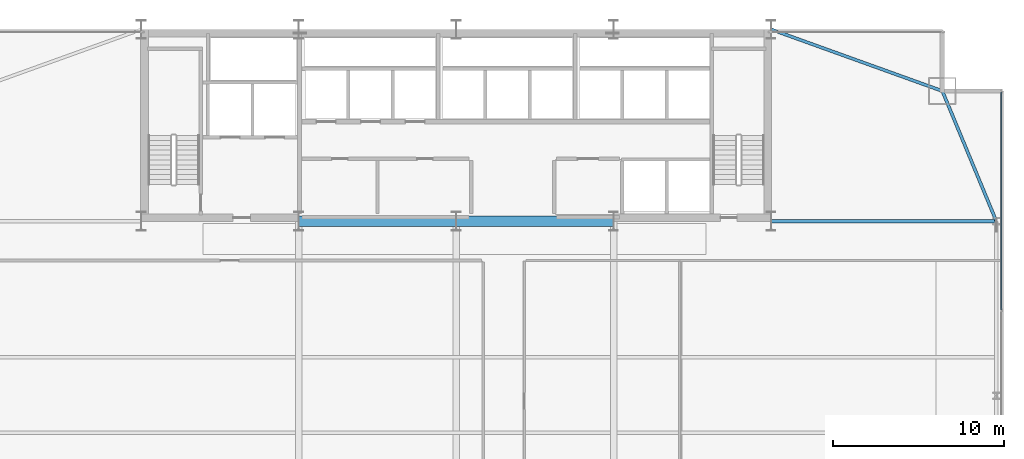
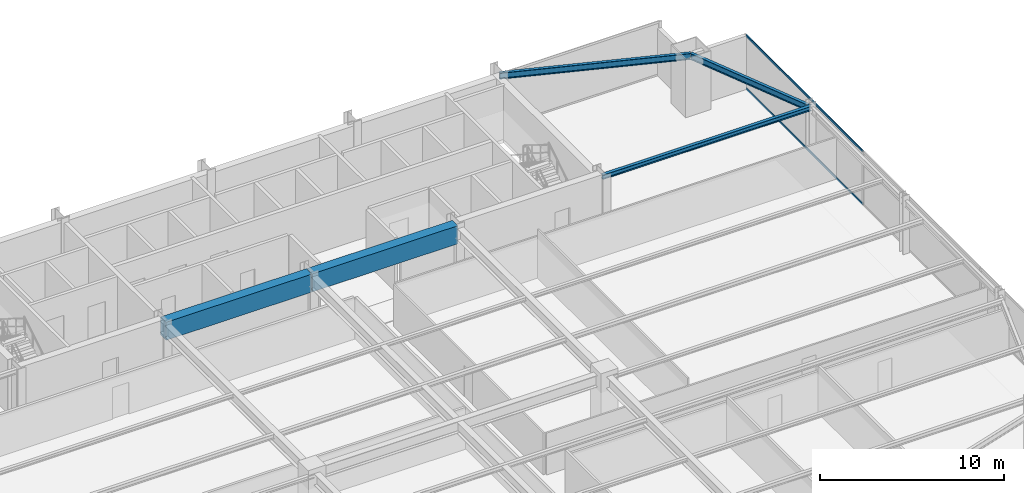
# One storey, part 23 of 32: 5 beams, 2 members, 1 element without a shape of its own.
"""IFC4 building model written with IfcOpenShell, lengths in metres."""

from ifc_helpers import new_model, si_unit, direction, frame, origin, origin_2d, place, context, subcontext, project, spatial, rectangle, hollow_rectangle, i_section, extrude, source, transform, mapped, material, layer, layer_set, material_profile, profile_set, type_object, type_shapes, element, aggregate, save


model = new_model("IFC4")

# Units and contexts
model_context = context("Model", 3, precision=1e-05, world=origin(), true_north=direction((0.0, 1.0)))
body_context = subcontext(model_context, "Body", "Model", "MODEL_VIEW")
ifc_project = project(units=[si_unit("LENGTHUNIT", "METRE"), si_unit("AREAUNIT", "SQUARE_METRE"), si_unit("VOLUMEUNIT", "CUBIC_METRE"), si_unit("PLANEANGLEUNIT", "RADIAN"), si_unit("MASSUNIT", "GRAM", prefix="KILO")], contexts=[model_context])

# Site, building, storey
site_placement = place(None, origin())
site = spatial("IfcSite", under=ifc_project, at=site_placement, CompositionType="ELEMENT")
building_placement = place(site_placement, origin())
building = spatial("IfcBuilding", under=site, at=building_placement, Name="Varnel Quay Broadcast Tower", CompositionType="ELEMENT")
storey_placement = place(building_placement, frame((0.0, 0.0, 78.300048828125)))
storey = spatial("IfcBuildingStorey", under=building, at=storey_placement, Name="L18", CompositionType="ELEMENT", Elevation=78.300048828125)

# Beams
ifc_material_1 = material(Name="Structural Steel CSA G40.21 350W", Category="steel")
ifc_material_profile_1 = material_profile(ifc_material_1, i_section(OverallWidth=0.180908203125, OverallDepth=0.4169921875, WebThickness=0.010986328125, FlangeThickness=0.018310546875, FilletRadius=0.011962890625, at=origin_2d()), Name="W410X85")
ifc_profile_set_1 = profile_set([ifc_material_profile_1], Name="Structural Steel CSA G40.21 350W")
beam_type_1 = type_object("IfcBeamType", Name="Beam_W410X85", PredefinedType="SPANDREL", material=ifc_profile_set_1)
shared_shape_1 = source(origin(), body_context, "Body", "SweptSolid", [
    extrude(i_section(OverallWidth=0.180908203125, OverallDepth=0.4169921875, WebThickness=0.010986328125, FlangeThickness=0.018310546875, FilletRadius=0.011962890625, at=origin_2d()), origin(), (0.0, 0.0, 1.0), 8.186767578125),
])
beam_1_placement = place(storey_placement, frame((65.542236328125, 35.618408203125, 3.371337890625), z_axis=(-0.382874132092, 0.923800519038, 0.0), x_axis=(-0.923800519038, -0.382874132092, 0.0)))
element("IfcBeam", 1, at=beam_1_placement, inside=storey, type_object=beam_type_1, Name="L18 East Spandrel TC-E3-MC-NE", PredefinedType="SPANDREL", context=body_context, shape_type="MappedRepresentation", body=[
    mapped(shared_shape_1, transform((0.0, 0.0, 0.0), x_axis=(1.0, 0.0, 0.0), y_axis=(0.0, 1.0, 0.0), z_axis=(0.0, 0.0, 1.0), scale=1.0)),
])
shared_shape_2 = source(origin(), body_context, "Body", "SweptSolid", [
    extrude(i_section(OverallWidth=0.180908203125, OverallDepth=0.4169921875, WebThickness=0.010986328125, FlangeThickness=0.018310546875, FilletRadius=0.011962890625, at=origin_2d()), origin(), (0.0, 0.0, 1.0), 10.58837890625),
])
type_shapes(beam_type_1, [shared_shape_1, shared_shape_2])
beam_2_placement = place(storey_placement, frame((52.418701171875, 46.793212890625, 3.371337890625), z_axis=(0.940888587605, -0.338716202321, 0.0), x_axis=(0.338716202321, 0.940888587605, 0.0)))
element("IfcBeam", 2, at=beam_2_placement, inside=storey, type_object=beam_type_1, Name="L18 NE Tie Spandrel", PredefinedType="SPANDREL", context=body_context, shape_type="MappedRepresentation", body=[
    mapped(shared_shape_2, transform((0.0, 0.0, 0.0), x_axis=(1.0, 0.0, 0.0), y_axis=(0.0, 1.0, 0.0), z_axis=(0.0, 0.0, 1.0), scale=1.0)),
])
ifc_material_2 = material(Name="Concrete CSA A23.3 C60/75", Category="concrete")
ifc_material_profile_2 = material_profile(ifc_material_2, rectangle(XDim=0.60009765625, YDim=1.199951171875, at=origin_2d()), Name="RC600X1200")
ifc_profile_set_2 = profile_set([ifc_material_profile_2], Name="Concrete CSA A23.3 C60/75")
beam_type_2 = type_object("IfcBeamType", Name="Beam_RC600X1200", PredefinedType="BEAM", material=ifc_profile_set_2)
shared_shape_3 = source(origin(), body_context, "Body", "SweptSolid", [
    extrude(rectangle(XDim=0.60009765625, YDim=1.199951171875, at=origin_2d()), origin(), (0.0, 0.0, 1.0), 9.159912109375),
])
type_shapes(beam_type_2, [shared_shape_3])
for number, where, z_axis, x_axis, name in (
    (3, (24.820068359375, 35.60009765625, 2.97998046875), (1.0, 0.0, 0.0), (0.0, 1.0, 0.0), "L18 Core Coupling Beam W"),
    (4, (34.02001953125, 35.60009765625, 2.97998046875), (1.0, 0.0, 0.0), (0.0, 1.0, 0.0), "L18 Core Coupling Beam E"),
):
    element("IfcBeam", number, at=place(storey_placement, frame(where, z_axis=z_axis, x_axis=x_axis)), inside=storey, type_object=beam_type_2, Name=name, PredefinedType="BEAM", context=body_context, shape_type="MappedRepresentation", body=[
        mapped(shared_shape_3, transform((0.0, 0.0, 0.0), x_axis=(1.0, 0.0, 0.0), y_axis=(0.0, 1.0, 0.0), z_axis=(0.0, 0.0, 1.0), scale=1.0)),
    ])
ifc_material_profile_3 = material_profile(ifc_material_1, i_section(OverallWidth=0.202880859375, OverallDepth=0.302978515625, WebThickness=0.007568359375, FlangeThickness=0.01318359375, FilletRadius=0.011962890625, at=origin_2d()), Name="W310X60")
ifc_profile_set_3 = profile_set([ifc_material_profile_3], Name="Structural Steel CSA G40.21 350W")
beam_type_3 = type_object("IfcBeamType", Name="Beam_W310X60", PredefinedType="JOIST", material=ifc_profile_set_3)
shared_shape_4 = source(origin(), body_context, "Body", "SweptSolid", [
    extrude(i_section(OverallWidth=0.202880859375, OverallDepth=0.302978515625, WebThickness=0.007568359375, FlangeThickness=0.01318359375, FilletRadius=0.011962890625, at=origin_2d()), origin(), (0.0, 0.0, 1.0), 13.110107421875),
])
type_shapes(beam_type_3, [shared_shape_4])
beam_3_placement = place(storey_placement, frame((52.419921875, 35.60009765625, 3.428466796875), z_axis=(1.0, 0.0, 0.0), x_axis=(0.0, 1.0, 0.0)))
element("IfcBeam", 5, at=beam_3_placement, inside=storey, type_object=beam_type_3, Name="L18 East Core Tie Joist", PredefinedType="JOIST", context=body_context, shape_type="MappedRepresentation", body=[
    mapped(shared_shape_4, transform((0.0, 0.0, 0.0), x_axis=(1.0, 0.0, 0.0), y_axis=(0.0, 1.0, 0.0), z_axis=(0.0, 0.0, 1.0), scale=1.0)),
])

# Curtain wall, members
ifc_material_3 = material(Name="Anodised Bronze Aluminium 6063-T6", Category="aluminium")
ifc_layer = layer(ifc_material_3, 0.18994140625, Name="Anodised Bronze Aluminium 6063-T6")
ifc_layer_set = layer_set([ifc_layer], Name="Anodised Bronze Aluminium 6063-T6")
curtain_wall_type = type_object("IfcCurtainWallType", Name="CW_LowerTower", PredefinedType="NOTDEFINED", material=ifc_layer_set)
curtain_wall_placement = place(storey_placement, origin())
curtain_wall = element("IfcCurtainWall", 6, at=curtain_wall_placement, inside=storey, type_object=curtain_wall_type, Name="L18 East Unitised Curtain Wall", PredefinedType="NOTDEFINED")
ifc_material_profile_4 = material_profile(ifc_material_3, hollow_rectangle(XDim=0.06005859375, YDim=0.14501953125, WallThickness=0.00341796875, at=origin_2d()), Name="ALU60X145X3.5")
ifc_profile_set_4 = profile_set([ifc_material_profile_4], Name="Anodised Bronze Aluminium 6063-T6")
member_type = type_object("IfcMemberType", Name="Tran_CWS-02", PredefinedType="USERDEFINED", material=ifc_profile_set_4)
shared_shape_5 = source(origin(), body_context, "Body", "SweptSolid", [
    extrude(hollow_rectangle(XDim=0.06005859375, YDim=0.14501953125, WallThickness=0.00341796875, at=origin_2d()), origin(), (0.0, 0.0, 1.0), 12.69482421875),
])
type_shapes(member_type, [shared_shape_5])
member_1_placement = place(storey_placement, frame((65.85009765625, 30.43505859375, 0.030029296875), z_axis=(0.0, 1.0, 0.0), x_axis=(-1.0, 0.0, 0.0)))
member_1 = element("IfcMember", 7, at=member_1_placement, type_object=member_type, Name="CWS-02 transom 3.1", ObjectType="TRANSOM", PredefinedType="USERDEFINED", context=body_context, shape_type="MappedRepresentation", body=[
    mapped(shared_shape_5, transform((0.0, 0.0, 0.0), x_axis=(1.0, 0.0, 0.0), y_axis=(0.0, 1.0, 0.0), z_axis=(0.0, 0.0, 1.0), scale=1.0)),
])
member_2_placement = place(storey_placement, frame((65.85009765625, 30.43505859375, 3.550048828125), z_axis=(0.0, 1.0, 0.0), x_axis=(-1.0, 0.0, 0.0)))
member_2 = element("IfcMember", 8, at=member_2_placement, type_object=member_type, Name="CWS-02 transom 3.2", ObjectType="TRANSOM", PredefinedType="USERDEFINED", context=body_context, shape_type="MappedRepresentation", body=[
    mapped(shared_shape_5, transform((0.0, 0.0, 0.0), x_axis=(1.0, 0.0, 0.0), y_axis=(0.0, 1.0, 0.0), z_axis=(0.0, 0.0, 1.0), scale=1.0)),
])
aggregate(curtain_wall, [member_1, member_2])

save(model, "model.ifc")
